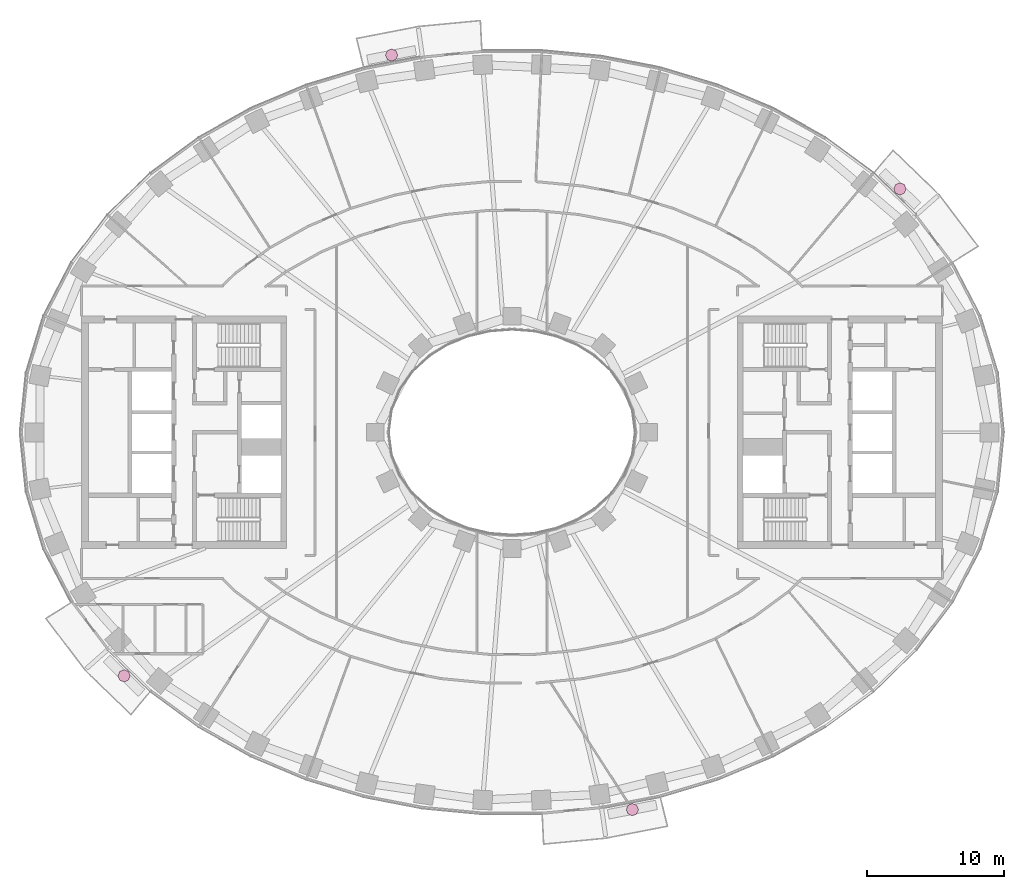
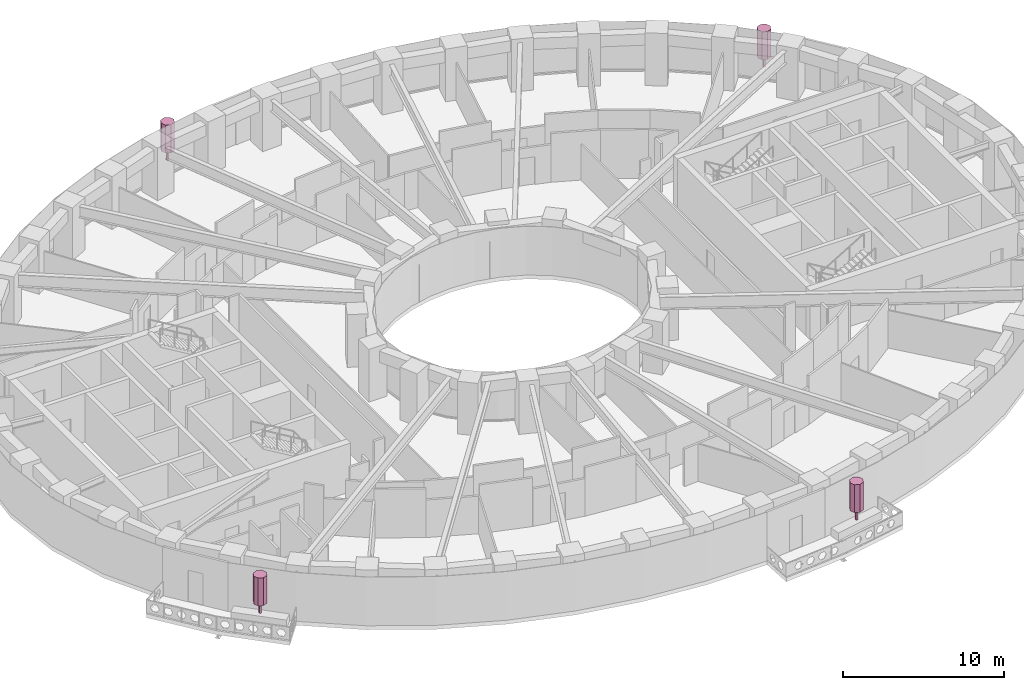
# One storey, part 16 of 16: 4 furnishings.
"""IFC4 building model written with IfcOpenShell, lengths in metres."""

import ifcopenshell
import ifcopenshell.guid

model = None  # the IFC model being written
_history = None  # IfcOwnerHistory: only IFC2X3 demands one
_inside = {}  # id of a spatial element -> (the spatial element, [elements in it])
_under = {}  # id of a project, library or spatial element -> (it, [spatial elements below it])
_declared = {}  # id of a project -> (the project, [libraries it declares])
_typed = {}  # id of a type object -> (the type object, [elements of that type])
_made_of = {}  # id of a material, layer set ... -> (it, [elements and type objects made of it])


def new_model(schema):
    """Start an empty IFC model of exactly this schema.

    Asked for "IFC4X3", IfcOpenShell would pick the latest addendum, in which some entities
    have other attributes; the version numbers below select the first issue.
    IFC2X3 requires an IfcOwnerHistory on every rooted entity: one is made here for all.
    """
    global model, _history
    if schema == "IFC4X3":
        model = ifcopenshell.file(schema_version=(4, 3, 0, 0))
    else:
        model = ifcopenshell.file(schema=schema)
    _inside.clear()
    _under.clear()
    _declared.clear()
    _typed.clear()
    _made_of.clear()
    _history = None
    if model.schema == "IFC2X3":
        org = make("IfcOrganization", Name="unknown")
        user = make(
            "IfcPersonAndOrganization",
            ThePerson=make("IfcPerson", FamilyName="unknown"),
            TheOrganization=org,
        )
        app = make(
            "IfcApplication",
            ApplicationDeveloper=org,
            Version="unknown",
            ApplicationFullName="unknown",
            ApplicationIdentifier="unknown",
        )
        _history = make(
            "IfcOwnerHistory",
            OwningUser=user,
            OwningApplication=app,
            ChangeAction="ADDED",
            CreationDate=0,
        )
    return model


def make(cls, **values):
    """One entity of the class cls with the attributes given. An attribute that is None is left unset."""
    return model.create_entity(
        cls, **{name: value for name, value in values.items() if value is not None}
    )


def rooted(cls, **values):
    """An entity with a GlobalId (a new one), such as an element, a storey or a relation."""
    return make(cls, GlobalId=ifcopenshell.guid.new(), OwnerHistory=_history, **values)


def si_unit(unit_type, name, prefix=None):
    """IfcSIUnit, for example si_unit("LENGTHUNIT", "METRE", prefix="MILLI")."""
    return make("IfcSIUnit", UnitType=unit_type, Prefix=prefix, Name=name)


def assignment(units):
    """IfcUnitAssignment: the units of a project."""
    return None if units is None else make("IfcUnitAssignment", Units=units)


def point(xyz):
    """IfcCartesianPoint."""
    return None if xyz is None else make("IfcCartesianPoint", Coordinates=xyz)


def direction(xyz):
    """IfcDirection."""
    return None if xyz is None else make("IfcDirection", DirectionRatios=xyz)


def frame(location, z_axis=None, x_axis=None):
    """IfcAxis2Placement3D, a coordinate frame: its origin and axes. An axis left out is left unset."""
    return make(
        "IfcAxis2Placement3D",
        Location=point(location),
        Axis=direction(z_axis),
        RefDirection=direction(x_axis),
    )


def frame_2d(location, x_axis=None):
    """IfcAxis2Placement2D, a coordinate frame in the plane: its origin and x axis."""
    return make(
        "IfcAxis2Placement2D", Location=point(location), RefDirection=direction(x_axis)
    )


def origin():
    """The frame at (0, 0, 0) with its axes left unset."""
    return frame((0.0, 0.0, 0.0))


def origin_2d():
    """The frame at (0, 0) in the plane with its x axis left unset."""
    return frame_2d((0.0, 0.0))


def place(relative_to, where):
    """IfcLocalPlacement: puts the frame where relative to a parent placement (None: the world)."""
    return make(
        "IfcLocalPlacement", PlacementRelTo=relative_to, RelativePlacement=where
    )


def context(
    kind, dimensions, precision=None, world=None, true_north=None, identifier=None
):
    """IfcGeometricRepresentationContext, for example the 3D "Model" context."""
    return make(
        "IfcGeometricRepresentationContext",
        ContextIdentifier=identifier,
        ContextType=kind,
        CoordinateSpaceDimension=dimensions,
        Precision=precision,
        WorldCoordinateSystem=world,
        TrueNorth=true_north,
    )


def subcontext(parent, identifier, kind, view, scale=None):
    """IfcGeometricRepresentationSubContext, for example "Body" below "Model"."""
    return make(
        "IfcGeometricRepresentationSubContext",
        ContextIdentifier=identifier,
        ContextType=kind,
        ParentContext=parent,
        TargetScale=scale,
        TargetView=view,
    )


def project(units=None, contexts=None):
    """IfcProject with its units and contexts."""
    return rooted(
        "IfcProject",
        Name="project",
        RepresentationContexts=contexts,
        UnitsInContext=assignment(units),
    )


def spatial(cls, under=None, at=None, **own):
    """A site, building, storey or space (cls), placed at a placement, below another one or the project."""
    s = rooted(cls, ObjectPlacement=at, **own)
    if under is not None:
        _under.setdefault(under.id(), (under, []))[1].append(s)
    return s


def polyline(points):
    """IfcPolyline through the points."""
    return make("IfcPolyline", Points=[point(p) for p in points])


def profile(cls, at=None, kind="AREA", **sizes):
    """A parametric profile (cls). Its sizes go by their IFC names, for example OverallWidth=200.0."""
    return make(cls, ProfileType=kind, Position=at, **sizes)


def rectangle(**sizes):
    """IfcRectangleProfileDef."""
    return profile("IfcRectangleProfileDef", **sizes)


def outline(outer, holes=None, kind="AREA"):
    """IfcArbitraryClosedProfileDef: a profile drawn as a closed curve; with holes, ...WithVoids."""
    if holes is None:
        return make("IfcArbitraryClosedProfileDef", ProfileType=kind, OuterCurve=outer)
    return make(
        "IfcArbitraryProfileDefWithVoids",
        ProfileType=kind,
        OuterCurve=outer,
        InnerCurves=holes,
    )


def extrude(swept, where, along, depth):
    """IfcExtrudedAreaSolid: the profile swept, set in the frame where, extruded along a direction by depth."""
    return make(
        "IfcExtrudedAreaSolid",
        SweptArea=swept,
        Position=where,
        ExtrudedDirection=direction(along),
        Depth=depth,
    )


def shape(context_of_items, identifier, shape_type, items):
    """IfcShapeRepresentation: the items that make up one representation, for example the "Body"."""
    return make(
        "IfcShapeRepresentation",
        ContextOfItems=context_of_items,
        RepresentationIdentifier=identifier,
        RepresentationType=shape_type,
        Items=items,
    )


def material(Name=None, Category=None):
    """IfcMaterial."""
    return make("IfcMaterial", Name=Name, Category=Category)


def made_of(thing, what):
    """Note that an element or type object is made of a material, layer set ...; save() writes the relation."""
    if what is not None:
        _made_of.setdefault(what.id(), (what, []))[1].append(thing)
    return thing


def type_object(cls, material=None, **own):
    """A type object (cls), such as IfcWallType, which elements share."""
    return made_of(rooted(cls, **own), material)


def element(
    cls,
    number,
    at=None,
    inside=None,
    cuts=None,
    type_object=None,
    material=None,
    context=None,
    identifier="Body",
    shape_type=None,
    held_by="IfcProductDefinitionShape",
    body=None,
    shapes=None,
    **own,
):
    """One element of the class cls, such as IfcWall. Its Tag is "e" and its number.

    at: its placement. inside: the storey or other place that contains it. cuts: it is an
    opening in that element (IfcRelVoidsElement). A single representation is given by context,
    identifier, shape_type and body (its items); several are given by shapes. held_by: the class
    of the entity that holds the representations. save() writes the other relations.
    """
    e = rooted(cls, Tag="e%d" % number, ObjectPlacement=at, **own)
    if body is not None:
        shapes = [shape(context, identifier, shape_type, body)]
    if shapes is not None:
        e.Representation = make(held_by, Representations=shapes)
    if inside is not None:
        _inside.setdefault(inside.id(), (inside, []))[1].append(e)
    if cuts is not None:
        rooted(
            "IfcRelVoidsElement", RelatingBuildingElement=cuts, RelatedOpeningElement=e
        )
    if type_object is not None:
        _typed.setdefault(type_object.id(), (type_object, []))[1].append(e)
    return made_of(e, material)


def aggregate(whole, parts):
    """IfcRelAggregates: a whole, such as a stair, and the parts it consists of."""
    return rooted("IfcRelAggregates", RelatingObject=whole, RelatedObjects=parts)


def save(model, path):
    """Write the relations noted so far, then the file.

    IfcRelAggregates (storeys below a building ...), IfcRelContainedInSpatialStructure (elements
    in a storey), IfcRelDefinesByType, IfcRelAssociatesMaterial and IfcRelDeclares: one each for
    every whole, place, type object, material and project.
    """
    for whole, parts in _under.values():
        aggregate(whole, parts)
    for where, things in _inside.values():
        rooted(
            "IfcRelContainedInSpatialStructure",
            RelatedElements=things,
            RelatingStructure=where,
        )
    for kind, things in _typed.values():
        rooted("IfcRelDefinesByType", RelatedObjects=things, RelatingType=kind)
    for what, things in _made_of.values():
        rooted("IfcRelAssociatesMaterial", RelatedObjects=things, RelatingMaterial=what)
    for by, libraries in _declared.values():
        rooted("IfcRelDeclares", RelatingContext=by, RelatedDefinitions=libraries)
    model.write(path)


model = new_model("IFC4")

# Units and contexts
model_context = context("Model", 3, precision=1e-05, world=origin(), true_north=direction((0.0, 1.0)))
body_context = subcontext(model_context, "Body", "Model", "MODEL_VIEW")
ifc_project = project(units=[si_unit("LENGTHUNIT", "METRE"), si_unit("AREAUNIT", "SQUARE_METRE"), si_unit("VOLUMEUNIT", "CUBIC_METRE"), si_unit("PLANEANGLEUNIT", "RADIAN"), si_unit("MASSUNIT", "GRAM", prefix="KILO")], contexts=[model_context])

# Site, building, storey
site_placement = place(None, origin())
site = spatial("IfcSite", under=ifc_project, at=site_placement, CompositionType="ELEMENT")
building_placement = place(site_placement, origin())
building = spatial("IfcBuilding", under=site, at=building_placement, Name="Noorbagh Ring Tower", CompositionType="ELEMENT")
storey_placement = place(building_placement, frame((0.0, 0.0, 66.5)))
storey = spatial("IfcBuildingStorey", under=building, at=storey_placement, Name="L14", CompositionType="ELEMENT", Elevation=66.5)

# Furnishings
ifc_material = material(Name="Planting foliage green")
furnishing_element_type = type_object("IfcFurnishingElementType", Name="ENV-TREE", material=ifc_material)
for number, where, z_axis, x_axis, name in (
    (1, (28.3837890625, 17.814208984375, 0.60009765625), (0.0, 0.0, 1.0), (1.0, 0.0, 0.0), "Tree BN01"),
    (2, (-8.807861328125, 27.603515625, 0.60009765625), (0.0, 0.0, 1.0), (1.0, 0.0, 0.0), "Tree BN04"),
    (3, (-28.3837890625, -17.814208984375, 0.60009765625), (0.0, 0.0, 1.0), (1.0, 0.0, 0.0), "Tree BS01"),
    (4, (8.807861328125, -27.603515625, 0.60009765625), (0.0, 0.0, 1.0), (1.0, 0.0, 0.0), "Tree BS04"),
):
    element("IfcFurnishingElement", number, at=place(storey_placement, frame(where, z_axis=z_axis, x_axis=x_axis)), inside=storey, type_object=furnishing_element_type, Name=name, context=body_context, shape_type="SweptSolid", body=[
        extrude(rectangle(XDim=0.1201171875, YDim=0.1201171875, at=origin_2d()), origin(), (0.0, 0.0, 1.0), 0.825927734375),
        extrude(outline(polyline([(0.449951171875, 0.0), (0.318115234375, 0.318115234375), (0.0, 0.449951171875), (-0.318115234375, 0.318115234375), (-0.449951171875, 0.0), (-0.318115234375, -0.318115234375), (0.0, -0.449951171875), (0.318115234375, -0.318115234375), (0.449951171875, 0.0)])), frame((0.0, 0.0, 0.825927734375)), (0.0, 0.0, 1.0), 2.1240234375),
    ])

save(model, "model.ifc")
